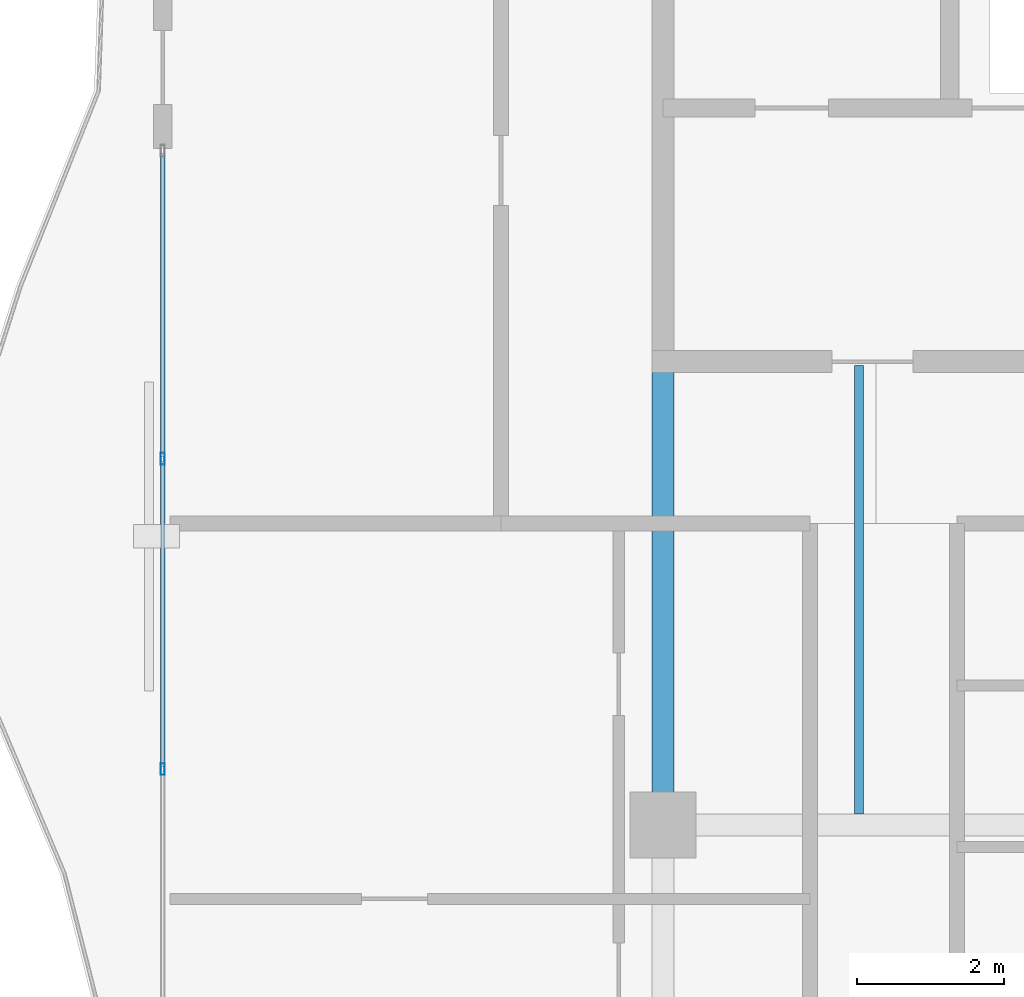
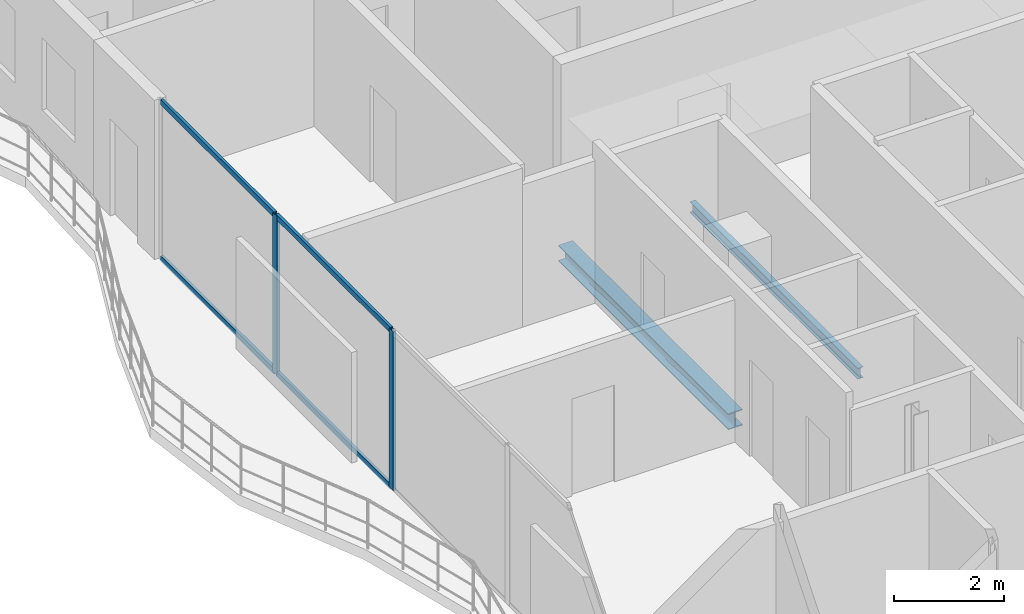
# One storey, part 7 of 17: 6 members, 2 beams, 1 element without a shape of its own.
"""IFC4 building model written with IfcOpenShell, lengths in metres."""

from ifc_helpers import new_model, si_unit, direction, frame, origin, origin_2d, place, context, subcontext, project, spatial, hollow_rectangle, i_section, extrude, material, layer, layer_set, material_profile, profile_set, type_object, element, aggregate, save


model = new_model("IFC4")

# Units and contexts
model_context = context("Model", 3, precision=1e-05, world=origin(), true_north=direction((0.0, 1.0)))
body_context = subcontext(model_context, "Body", "Model", "MODEL_VIEW")
ifc_project = project(units=[si_unit("LENGTHUNIT", "METRE"), si_unit("AREAUNIT", "SQUARE_METRE"), si_unit("VOLUMEUNIT", "CUBIC_METRE"), si_unit("PLANEANGLEUNIT", "RADIAN"), si_unit("MASSUNIT", "GRAM", prefix="KILO")], contexts=[model_context])

# Site, building, storey
site_placement = place(None, origin())
site = spatial("IfcSite", under=ifc_project, at=site_placement, CompositionType="ELEMENT")
building_placement = place(site_placement, origin())
building = spatial("IfcBuilding", under=site, at=building_placement, Name="Catumbela Crestline Tower", CompositionType="ELEMENT")
storey_placement = place(building_placement, frame((0.0, 0.0, 267.8)))
storey = spatial("IfcBuildingStorey", under=building, at=storey_placement, Name="L69", CompositionType="ELEMENT", Elevation=267.8)

# Beams
ifc_material_1 = material(Name="Structural steel S355J2", Category="steel")
ifc_material_profile_1 = material_profile(ifc_material_1, i_section(OverallWidth=0.3, OverallDepth=0.36, WebThickness=0.0125, FlangeThickness=0.0225, FilletRadius=0.027, at=origin_2d()), Name="HEB 360")
ifc_profile_set_1 = profile_set([ifc_material_profile_1], Name="Structural steel S355J2")
beam_type_1 = type_object("IfcBeamType", Name="BG-HEB360", PredefinedType="BEAM", material=ifc_profile_set_1)
beam_1_placement = place(storey_placement, frame((16.0, 24.58, -0.44), z_axis=(0.0, 1.0, 0.0), x_axis=(-1.0, 0.0, 0.0)))
element("IfcBeam", 1, at=beam_1_placement, inside=storey, type_object=beam_type_1, Name="L69 Beam BM-L69-SNS06", PredefinedType="BEAM", context=body_context, shape_type="SweptSolid", body=[
    extrude(i_section(OverallWidth=0.3, OverallDepth=0.36, WebThickness=0.0125, FlangeThickness=0.0225, FilletRadius=0.027, at=origin_2d()), origin(), (0.0, 0.0, 1.0), 6.17),
])
ifc_material_profile_2 = material_profile(ifc_material_1, i_section(OverallWidth=0.12, OverallDepth=0.24, WebThickness=0.0062, FlangeThickness=0.0098, FilletRadius=0.015, at=origin_2d()), Name="IPE 240")
ifc_profile_set_2 = profile_set([ifc_material_profile_2], Name="Structural steel S355J2")
beam_type_2 = type_object("IfcBeamType", Name="BJ-IPE240", PredefinedType="JOIST", material=ifc_profile_set_2)
beam_2_placement = place(storey_placement, frame((18.667, 24.647, -0.38), z_axis=(0.0, 1.0, 0.0), x_axis=(-1.0, 0.0, 0.0)))
element("IfcBeam", 2, at=beam_2_placement, inside=storey, type_object=beam_type_2, Name="L69 Joist JS-L69-SP12", PredefinedType="JOIST", context=body_context, shape_type="SweptSolid", body=[
    extrude(i_section(OverallWidth=0.12, OverallDepth=0.24, WebThickness=0.0062, FlangeThickness=0.0098, FilletRadius=0.015, at=origin_2d()), origin(), (0.0, 0.0, 1.0), 6.103),
])

# Curtain wall, members
ifc_material_2 = material(Name="Aluminium alloy AW-6060-T66", Category="aluminium")
ifc_layer = layer(ifc_material_2, 0.18, Name="Aluminium alloy AW-6060-T66")
ifc_layer_set = layer_set([ifc_layer], Name="Aluminium alloy AW-6060-T66")
curtain_wall_type = type_object("IfcCurtainWallType", Name="CWU-Z4", PredefinedType="USERDEFINED", material=ifc_layer_set)
curtain_wall_placement = place(storey_placement, origin())
curtain_wall = element("IfcCurtainWall", 3, at=curtain_wall_placement, inside=storey, type_object=curtain_wall_type, Name="L69 Unitised Curtain Wall CW-L69-E9S2", ObjectType="UNITISED", PredefinedType="USERDEFINED")
ifc_material_profile_3 = material_profile(ifc_material_2, hollow_rectangle(XDim=0.06, YDim=0.16, WallThickness=0.004, at=origin_2d()), Name="ALU 160x60x4")
ifc_profile_set_3 = profile_set([ifc_material_profile_3], Name="Aluminium alloy AW-6060-T66")
member_type_1 = type_object("IfcMemberType", Name="MUL-160X60", PredefinedType="MULLION", material=ifc_profile_set_3)
member_1_placement = place(storey_placement, frame((9.2, 29.48, 0.0), z_axis=(0.0, 0.0, 1.0), x_axis=(1.0, 0.0, 0.0)))
member_1 = element("IfcMember", 4, at=member_1_placement, type_object=member_type_1, Name="CWU-Z4 mullion 2", PredefinedType="MULLION", context=body_context, shape_type="SweptSolid", body=[
    extrude(hollow_rectangle(XDim=0.06, YDim=0.16, WallThickness=0.004, at=origin_2d()), origin(), (0.0, 0.0, 1.0), 3.53),
])
member_2_placement = place(storey_placement, frame((9.2, 25.26, 0.0), z_axis=(0.0, 0.0, 1.0), x_axis=(1.0, 0.0, 0.0)))
member_2 = element("IfcMember", 5, at=member_2_placement, type_object=member_type_1, Name="CWU-Z4 mullion 3", PredefinedType="MULLION", context=body_context, shape_type="SweptSolid", body=[
    extrude(hollow_rectangle(XDim=0.06, YDim=0.16, WallThickness=0.004, at=origin_2d()), origin(), (0.0, 0.0, 1.0), 3.53),
])
ifc_material_profile_4 = material_profile(ifc_material_2, hollow_rectangle(XDim=0.06, YDim=0.12, WallThickness=0.0035, at=origin_2d()), Name="ALU 120x60x3.5")
ifc_profile_set_4 = profile_set([ifc_material_profile_4], Name="Aluminium alloy AW-6060-T66")
member_type_2 = type_object("IfcMemberType", Name="TRN-120X60", PredefinedType="USERDEFINED", material=ifc_profile_set_4)
member_3_placement = place(storey_placement, frame((9.2, 33.635, 0.03), z_axis=(0.0, -1.0, 0.0), x_axis=(1.0, 0.0, 0.0)))
member_3 = element("IfcMember", 6, at=member_3_placement, type_object=member_type_2, Name="CWU-Z4 transom 1.1", ObjectType="TRANSOM", PredefinedType="USERDEFINED", context=body_context, shape_type="SweptSolid", body=[
    extrude(hollow_rectangle(XDim=0.06, YDim=0.12, WallThickness=0.0035, at=origin_2d()), origin(), (0.0, 0.0, 1.0), 4.1225),
])
member_4_placement = place(storey_placement, frame((9.2, 33.635, 3.5), z_axis=(0.0, -1.0, 0.0), x_axis=(1.0, 0.0, 0.0)))
member_4 = element("IfcMember", 7, at=member_4_placement, type_object=member_type_2, Name="CWU-Z4 transom 1.2", ObjectType="TRANSOM", PredefinedType="USERDEFINED", context=body_context, shape_type="SweptSolid", body=[
    extrude(hollow_rectangle(XDim=0.06, YDim=0.12, WallThickness=0.0035, at=origin_2d()), origin(), (0.0, 0.0, 1.0), 4.1225),
])
member_5_placement = place(storey_placement, frame((9.2, 29.4475, 0.03), z_axis=(0.0, -1.0, 0.0), x_axis=(1.0, 0.0, 0.0)))
member_5 = element("IfcMember", 8, at=member_5_placement, type_object=member_type_2, Name="CWU-Z4 transom 2.1", ObjectType="TRANSOM", PredefinedType="USERDEFINED", context=body_context, shape_type="SweptSolid", body=[
    extrude(hollow_rectangle(XDim=0.06, YDim=0.12, WallThickness=0.0035, at=origin_2d()), origin(), (0.0, 0.0, 1.0), 4.155),
])
member_6_placement = place(storey_placement, frame((9.2, 29.4475, 3.5), z_axis=(0.0, -1.0, 0.0), x_axis=(1.0, 0.0, 0.0)))
member_6 = element("IfcMember", 9, at=member_6_placement, type_object=member_type_2, Name="CWU-Z4 transom 2.2", ObjectType="TRANSOM", PredefinedType="USERDEFINED", context=body_context, shape_type="SweptSolid", body=[
    extrude(hollow_rectangle(XDim=0.06, YDim=0.12, WallThickness=0.0035, at=origin_2d()), origin(), (0.0, 0.0, 1.0), 4.155),
])
aggregate(curtain_wall, [member_1, member_2, member_3, member_4, member_5, member_6])

save(model, "model.ifc")
